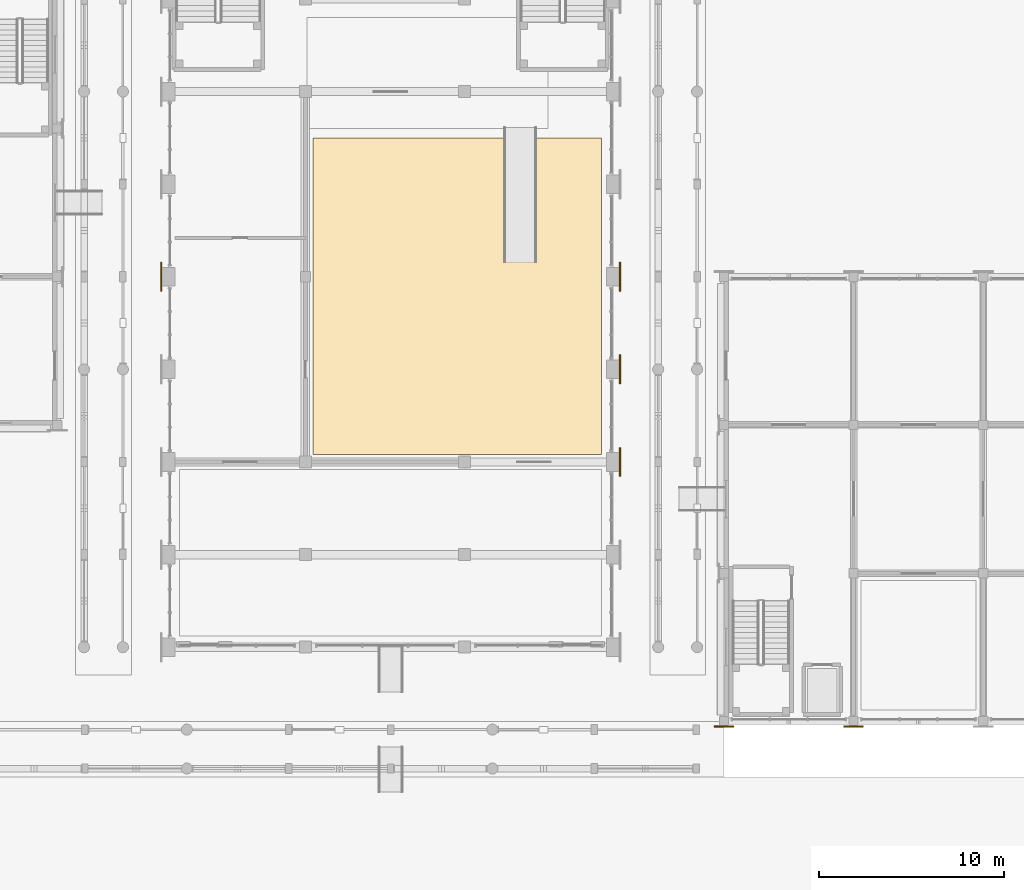
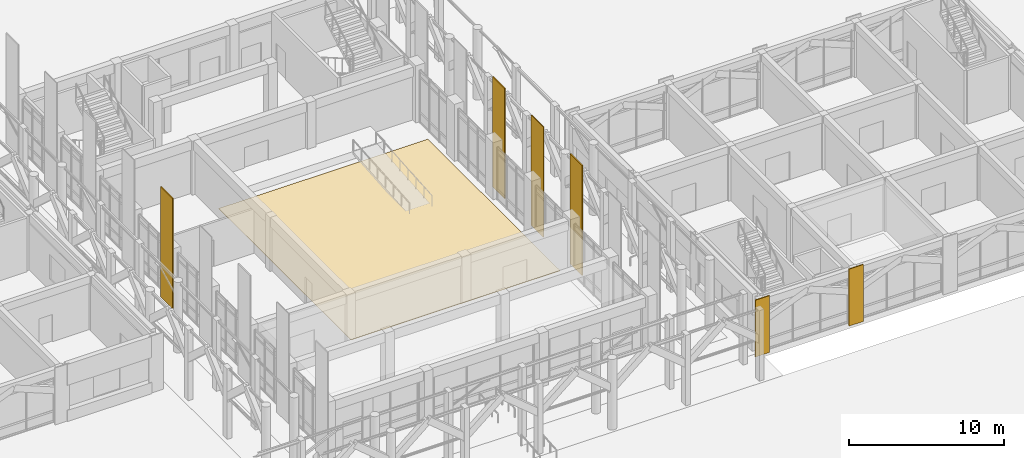
# One storey, part 121 of 135: 7 coverings.
"""IFC4 building model written with IfcOpenShell, lengths in metres."""

from ifc_helpers import new_model, si_unit, direction, frame, origin, place, context, subcontext, project, spatial, polyline, outline, extrude, material, layer, layer_set, type_object, element, save


model = new_model("IFC4")

# Units and contexts
model_context = context("Model", 3, precision=1e-05, world=origin(), true_north=direction((0.0, 1.0)))
body_context = subcontext(model_context, "Body", "Model", "MODEL_VIEW")
ifc_project = project(units=[si_unit("LENGTHUNIT", "METRE"), si_unit("AREAUNIT", "SQUARE_METRE"), si_unit("VOLUMEUNIT", "CUBIC_METRE"), si_unit("PLANEANGLEUNIT", "RADIAN"), si_unit("MASSUNIT", "GRAM", prefix="KILO")], contexts=[model_context])

# Site, building, storey
site_placement = place(None, origin())
site = spatial("IfcSite", under=ifc_project, at=site_placement, CompositionType="ELEMENT")
building_placement = place(site_placement, origin())
building = spatial("IfcBuilding", under=site, at=building_placement, Name="Kiranvali Square Residences", CompositionType="ELEMENT")
storey_placement = place(building_placement, origin())
storey = spatial("IfcBuildingStorey", under=building, at=storey_placement, Name="L00", CompositionType="ELEMENT", Elevation=0.0)

# Coverings
ifc_material_1 = material(Name="Honed Porbandar limestone ashlar facade cladding", Category="masonry")
ifc_layer_1 = layer(ifc_material_1, 0.06494140625)
ifc_layer_set_1 = layer_set([ifc_layer_1], Name="Honed Porbandar limestone ashlar facade cladding")
covering_type_1 = type_object("IfcCoveringType", Name="COV-CLAD-PIER", PredefinedType="CLADDING", material=ifc_layer_set_1)
covering_1_placement = place(storey_placement, frame((0.0, 0.0, 0.0048828125)))
element("IfcCovering", 1, at=covering_1_placement, inside=storey, type_object=covering_type_1, Name="L00 Community Hall buttressed stone pier CLAD-CH-E3", PredefinedType="CLADDING", context=body_context, shape_type="SweptSolid", body=[
    extrude(outline(polyline([(96.41796875, 53.219970703125), (96.41796875, 54.780029296875), (96.3505859375, 54.780029296875), (96.3505859375, 53.219970703125), (96.41796875, 53.219970703125)])), origin(), (0.0, 0.0, 1.0), 8.690185546875),
])
covering_2_placement = place(storey_placement, frame((0.0, 0.0, 0.0048828125)))
element("IfcCovering", 2, at=covering_2_placement, inside=storey, type_object=covering_type_1, Name="L00 Community Hall buttressed stone pier CLAD-CH-E4", PredefinedType="CLADDING", context=body_context, shape_type="SweptSolid", body=[
    extrude(outline(polyline([(96.41796875, 58.219970703125), (96.41796875, 59.780029296875), (96.3505859375, 59.780029296875), (96.3505859375, 58.219970703125), (96.41796875, 58.219970703125)])), origin(), (0.0, 0.0, 1.0), 8.690185546875),
])
covering_3_placement = place(storey_placement, frame((0.0, 0.0, 0.0048828125)))
element("IfcCovering", 3, at=covering_3_placement, inside=storey, type_object=covering_type_1, Name="L00 Community Hall buttressed stone pier CLAD-CH-W5", PredefinedType="CLADDING", context=body_context, shape_type="SweptSolid", body=[
    extrude(outline(polyline([(71.6494140625, 63.219970703125), (71.6494140625, 64.780029296875), (71.58203125, 64.780029296875), (71.58203125, 63.219970703125), (71.6494140625, 63.219970703125)])), origin(), (0.0, 0.0, 1.0), 8.690185546875),
])
covering_4_placement = place(storey_placement, frame((0.0, 0.0, 0.0048828125)))
element("IfcCovering", 4, at=covering_4_placement, inside=storey, type_object=covering_type_1, Name="L00 Community Hall buttressed stone pier CLAD-CH-E5", PredefinedType="CLADDING", context=body_context, shape_type="SweptSolid", body=[
    extrude(outline(polyline([(96.41796875, 63.219970703125), (96.41796875, 64.780029296875), (96.3505859375, 64.780029296875), (96.3505859375, 63.219970703125), (96.41796875, 63.219970703125)])), origin(), (0.0, 0.0, 1.0), 8.690185546875),
])
covering_5_placement = place(storey_placement, frame((0.0, 0.0, 0.0048828125)))
element("IfcCovering", 5, at=covering_5_placement, inside=storey, type_object=covering_type_1, Name="L00 Classical limestone pilaster casing CLAD-RT-L00-S0", PredefinedType="CLADDING", context=body_context, shape_type="SweptSolid", body=[
    extrude(outline(polyline([(101.469970703125, 39.681884765625), (102.530029296875, 39.681884765625), (102.530029296875, 39.74951171875), (101.469970703125, 39.74951171875), (101.469970703125, 39.681884765625)])), origin(), (0.0, 0.0, 1.0), 4.490234375),
])
covering_6_placement = place(storey_placement, frame((0.0, 0.0, 0.0048828125)))
element("IfcCovering", 6, at=covering_6_placement, inside=storey, type_object=covering_type_1, Name="L00 Classical limestone pilaster casing CLAD-RT-L00-S1", PredefinedType="CLADDING", context=body_context, shape_type="SweptSolid", body=[
    extrude(outline(polyline([(108.469970703125, 39.681884765625), (109.530029296875, 39.681884765625), (109.530029296875, 39.74951171875), (108.469970703125, 39.74951171875), (108.469970703125, 39.681884765625)])), origin(), (0.0, 0.0, 1.0), 4.490234375),
])
ifc_material_2 = material(Name="Polished terrazzo and anti-slip vitrified floor finish", Category="stone")
ifc_layer_2 = layer(ifc_material_2, 0.0380859375)
ifc_layer_set_2 = layer_set([ifc_layer_2], Name="Polished terrazzo and anti-slip vitrified floor finish")
covering_type_2 = type_object("IfcCoveringType", Name="COV-FLR-STONE38", PredefinedType="FLOORING", material=ifc_layer_set_2)
covering_7_placement = place(storey_placement, origin())
element("IfcCovering", 7, at=covering_7_placement, inside=storey, type_object=covering_type_2, Name="Community Assembly Hall main floor terrazzo flooring", PredefinedType="FLOORING", context=body_context, shape_type="SweptSolid", body=[
    extrude(outline(polyline([(79.800048828125, 54.39990234375), (95.39990234375, 54.39990234375), (95.39990234375, 71.5), (79.800048828125, 71.5), (79.800048828125, 54.39990234375)])), origin(), (0.0, 0.0, 1.0), 0.030029296875),
])

save(model, "model.ifc")
